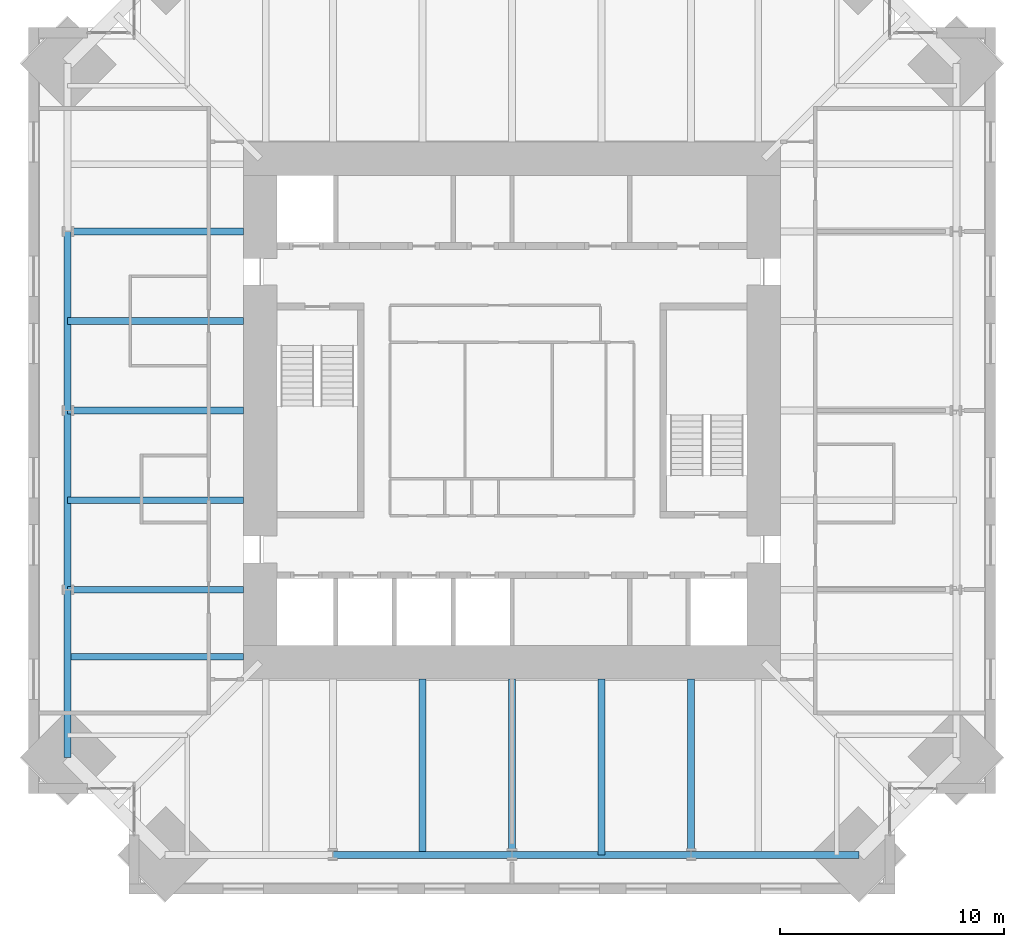
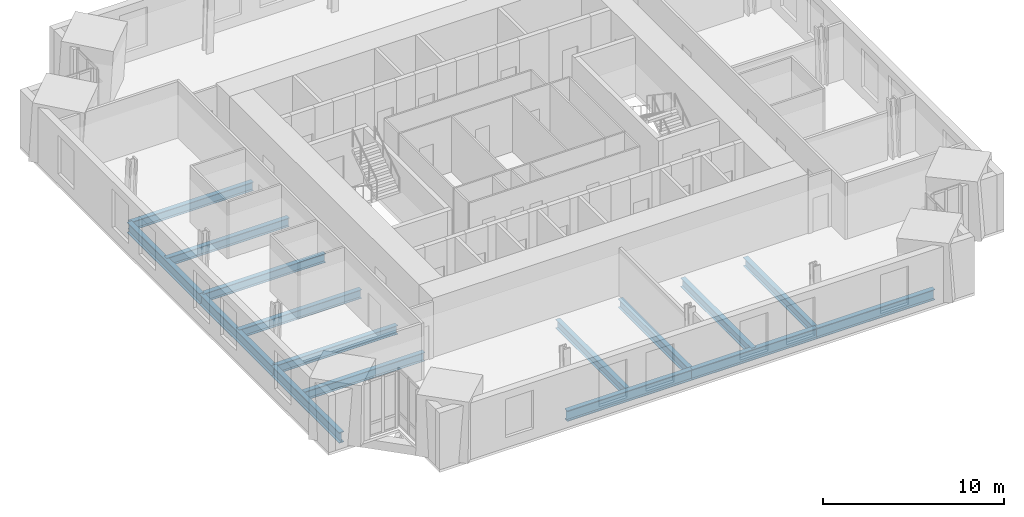
# One storey, part 3 of 16: 16 beams.
"""IFC4 building model written with IfcOpenShell, lengths in metres."""

import ifcopenshell
import ifcopenshell.guid

model = None  # the IFC model being written
_history = None  # IfcOwnerHistory: only IFC2X3 demands one
_inside = {}  # id of a spatial element -> (the spatial element, [elements in it])
_under = {}  # id of a project, library or spatial element -> (it, [spatial elements below it])
_declared = {}  # id of a project -> (the project, [libraries it declares])
_typed = {}  # id of a type object -> (the type object, [elements of that type])
_made_of = {}  # id of a material, layer set ... -> (it, [elements and type objects made of it])


def new_model(schema):
    """Start an empty IFC model of exactly this schema.

    Asked for "IFC4X3", IfcOpenShell would pick the latest addendum, in which some entities
    have other attributes; the version numbers below select the first issue.
    IFC2X3 requires an IfcOwnerHistory on every rooted entity: one is made here for all.
    """
    global model, _history
    if schema == "IFC4X3":
        model = ifcopenshell.file(schema_version=(4, 3, 0, 0))
    else:
        model = ifcopenshell.file(schema=schema)
    _inside.clear()
    _under.clear()
    _declared.clear()
    _typed.clear()
    _made_of.clear()
    _history = None
    if model.schema == "IFC2X3":
        org = make("IfcOrganization", Name="unknown")
        user = make(
            "IfcPersonAndOrganization",
            ThePerson=make("IfcPerson", FamilyName="unknown"),
            TheOrganization=org,
        )
        app = make(
            "IfcApplication",
            ApplicationDeveloper=org,
            Version="unknown",
            ApplicationFullName="unknown",
            ApplicationIdentifier="unknown",
        )
        _history = make(
            "IfcOwnerHistory",
            OwningUser=user,
            OwningApplication=app,
            ChangeAction="ADDED",
            CreationDate=0,
        )
    return model


def make(cls, **values):
    """One entity of the class cls with the attributes given. An attribute that is None is left unset."""
    return model.create_entity(
        cls, **{name: value for name, value in values.items() if value is not None}
    )


def rooted(cls, **values):
    """An entity with a GlobalId (a new one), such as an element, a storey or a relation."""
    return make(cls, GlobalId=ifcopenshell.guid.new(), OwnerHistory=_history, **values)


def si_unit(unit_type, name, prefix=None):
    """IfcSIUnit, for example si_unit("LENGTHUNIT", "METRE", prefix="MILLI")."""
    return make("IfcSIUnit", UnitType=unit_type, Prefix=prefix, Name=name)


def assignment(units):
    """IfcUnitAssignment: the units of a project."""
    return None if units is None else make("IfcUnitAssignment", Units=units)


def point(xyz):
    """IfcCartesianPoint."""
    return None if xyz is None else make("IfcCartesianPoint", Coordinates=xyz)


def direction(xyz):
    """IfcDirection."""
    return None if xyz is None else make("IfcDirection", DirectionRatios=xyz)


def frame(location, z_axis=None, x_axis=None):
    """IfcAxis2Placement3D, a coordinate frame: its origin and axes. An axis left out is left unset."""
    return make(
        "IfcAxis2Placement3D",
        Location=point(location),
        Axis=direction(z_axis),
        RefDirection=direction(x_axis),
    )


def frame_2d(location, x_axis=None):
    """IfcAxis2Placement2D, a coordinate frame in the plane: its origin and x axis."""
    return make(
        "IfcAxis2Placement2D", Location=point(location), RefDirection=direction(x_axis)
    )


def origin():
    """The frame at (0, 0, 0) with its axes left unset."""
    return frame((0.0, 0.0, 0.0))


def origin_2d():
    """The frame at (0, 0) in the plane with its x axis left unset."""
    return frame_2d((0.0, 0.0))


def place(relative_to, where):
    """IfcLocalPlacement: puts the frame where relative to a parent placement (None: the world)."""
    return make(
        "IfcLocalPlacement", PlacementRelTo=relative_to, RelativePlacement=where
    )


def context(
    kind, dimensions, precision=None, world=None, true_north=None, identifier=None
):
    """IfcGeometricRepresentationContext, for example the 3D "Model" context."""
    return make(
        "IfcGeometricRepresentationContext",
        ContextIdentifier=identifier,
        ContextType=kind,
        CoordinateSpaceDimension=dimensions,
        Precision=precision,
        WorldCoordinateSystem=world,
        TrueNorth=true_north,
    )


def subcontext(parent, identifier, kind, view, scale=None):
    """IfcGeometricRepresentationSubContext, for example "Body" below "Model"."""
    return make(
        "IfcGeometricRepresentationSubContext",
        ContextIdentifier=identifier,
        ContextType=kind,
        ParentContext=parent,
        TargetScale=scale,
        TargetView=view,
    )


def project(units=None, contexts=None):
    """IfcProject with its units and contexts."""
    return rooted(
        "IfcProject",
        Name="project",
        RepresentationContexts=contexts,
        UnitsInContext=assignment(units),
    )


def spatial(cls, under=None, at=None, **own):
    """A site, building, storey or space (cls), placed at a placement, below another one or the project."""
    s = rooted(cls, ObjectPlacement=at, **own)
    if under is not None:
        _under.setdefault(under.id(), (under, []))[1].append(s)
    return s


def profile(cls, at=None, kind="AREA", **sizes):
    """A parametric profile (cls). Its sizes go by their IFC names, for example OverallWidth=200.0."""
    return make(cls, ProfileType=kind, Position=at, **sizes)


def i_section(**sizes):
    """IfcIShapeProfileDef."""
    return profile("IfcIShapeProfileDef", **sizes)


def extrude(swept, where, along, depth):
    """IfcExtrudedAreaSolid: the profile swept, set in the frame where, extruded along a direction by depth."""
    return make(
        "IfcExtrudedAreaSolid",
        SweptArea=swept,
        Position=where,
        ExtrudedDirection=direction(along),
        Depth=depth,
    )


def shape(context_of_items, identifier, shape_type, items):
    """IfcShapeRepresentation: the items that make up one representation, for example the "Body"."""
    return make(
        "IfcShapeRepresentation",
        ContextOfItems=context_of_items,
        RepresentationIdentifier=identifier,
        RepresentationType=shape_type,
        Items=items,
    )


def material(Name=None, Category=None):
    """IfcMaterial."""
    return make("IfcMaterial", Name=Name, Category=Category)


def material_profile(
    of_material, cross_section, Name=None, Category=None, Priority=None
):
    """IfcMaterialProfile: a cross section and its material."""
    return make(
        "IfcMaterialProfile",
        Name=Name,
        Material=of_material,
        Profile=cross_section,
        Priority=Priority,
        Category=Category,
    )


def profile_set(profiles, Name=None, composite=None):
    """IfcMaterialProfileSet."""
    return make(
        "IfcMaterialProfileSet",
        Name=Name,
        MaterialProfiles=profiles,
        CompositeProfile=composite,
    )


def made_of(thing, what):
    """Note that an element or type object is made of a material, layer set ...; save() writes the relation."""
    if what is not None:
        _made_of.setdefault(what.id(), (what, []))[1].append(thing)
    return thing


def type_object(cls, material=None, **own):
    """A type object (cls), such as IfcWallType, which elements share."""
    return made_of(rooted(cls, **own), material)


def element(
    cls,
    number,
    at=None,
    inside=None,
    cuts=None,
    type_object=None,
    material=None,
    context=None,
    identifier="Body",
    shape_type=None,
    held_by="IfcProductDefinitionShape",
    body=None,
    shapes=None,
    **own,
):
    """One element of the class cls, such as IfcWall. Its Tag is "e" and its number.

    at: its placement. inside: the storey or other place that contains it. cuts: it is an
    opening in that element (IfcRelVoidsElement). A single representation is given by context,
    identifier, shape_type and body (its items); several are given by shapes. held_by: the class
    of the entity that holds the representations. save() writes the other relations.
    """
    e = rooted(cls, Tag="e%d" % number, ObjectPlacement=at, **own)
    if body is not None:
        shapes = [shape(context, identifier, shape_type, body)]
    if shapes is not None:
        e.Representation = make(held_by, Representations=shapes)
    if inside is not None:
        _inside.setdefault(inside.id(), (inside, []))[1].append(e)
    if cuts is not None:
        rooted(
            "IfcRelVoidsElement", RelatingBuildingElement=cuts, RelatedOpeningElement=e
        )
    if type_object is not None:
        _typed.setdefault(type_object.id(), (type_object, []))[1].append(e)
    return made_of(e, material)


def aggregate(whole, parts):
    """IfcRelAggregates: a whole, such as a stair, and the parts it consists of."""
    return rooted("IfcRelAggregates", RelatingObject=whole, RelatedObjects=parts)


def save(model, path):
    """Write the relations noted so far, then the file.

    IfcRelAggregates (storeys below a building ...), IfcRelContainedInSpatialStructure (elements
    in a storey), IfcRelDefinesByType, IfcRelAssociatesMaterial and IfcRelDeclares: one each for
    every whole, place, type object, material and project.
    """
    for whole, parts in _under.values():
        aggregate(whole, parts)
    for where, things in _inside.values():
        rooted(
            "IfcRelContainedInSpatialStructure",
            RelatedElements=things,
            RelatingStructure=where,
        )
    for kind, things in _typed.values():
        rooted("IfcRelDefinesByType", RelatedObjects=things, RelatingType=kind)
    for what, things in _made_of.values():
        rooted("IfcRelAssociatesMaterial", RelatedObjects=things, RelatingMaterial=what)
    for by, libraries in _declared.values():
        rooted("IfcRelDeclares", RelatingContext=by, RelatedDefinitions=libraries)
    model.write(path)


model = new_model("IFC4")

# Units and contexts
model_context = context("Model", 3, precision=1e-05, world=origin(), true_north=direction((0.0, 1.0)))
body_context = subcontext(model_context, "Body", "Model", "MODEL_VIEW")
ifc_project = project(units=[si_unit("LENGTHUNIT", "METRE"), si_unit("AREAUNIT", "SQUARE_METRE"), si_unit("VOLUMEUNIT", "CUBIC_METRE"), si_unit("PLANEANGLEUNIT", "RADIAN"), si_unit("MASSUNIT", "GRAM", prefix="KILO")], contexts=[model_context])

# Site, building, storey
site_placement = place(None, origin())
site = spatial("IfcSite", under=ifc_project, at=site_placement, CompositionType="ELEMENT")
building_placement = place(site_placement, origin())
building = spatial("IfcBuilding", under=site, at=building_placement, Name="Peilmerk Tower", CompositionType="ELEMENT")
storey_placement = place(building_placement, frame((0.0, 0.0, 273.800048828125)))
storey = spatial("IfcBuildingStorey", under=building, at=storey_placement, Name="L61", CompositionType="ELEMENT", Elevation=273.800048828125)

# Beams
ifc_material = material(Name="Steel S355", Category="steel")
ifc_material_profile_1 = material_profile(ifc_material, i_section(OverallWidth=0.300048828125, OverallDepth=0.590087890625, WebThickness=0.012939453125, FlangeThickness=0.02490234375, at=origin_2d()), Name="HEA 600")
ifc_profile_set_1 = profile_set([ifc_material_profile_1], Name="Steel S355")
beam_type_1 = type_object("IfcBeamType", Name="B27 HEA 600 floor beam", PredefinedType="BEAM", material=ifc_profile_set_1)
for number, where, z_axis, x_axis, name in (
    (1, (-4.0, -12.0, -0.465087890625), (0.0, -1.0, 0.0), (1.0, 0.0, 0.0), "Floor beam L61"),
    (2, (0.0, -12.0, -0.465087890625), (0.0, -1.0, 0.0), (1.0, 0.0, 0.0), "Floor beam L61"),
    (3, (4.0, -12.0, -0.465087890625), (0.0, -1.0, 0.0), (1.0, 0.0, 0.0), "Floor beam L61"),
    (4, (8.0, -12.0, -0.465087890625), (0.0, -1.0, 0.0), (1.0, 0.0, 0.0), "Floor beam L61"),
    (5, (-12.0, 8.0, -0.465087890625), (-1.0, 0.0, 0.0), (0.0, -1.0, 0.0), "Floor beam L61"),
    (6, (-12.0, 4.0, -0.465087890625), (-1.0, 0.0, 0.0), (0.0, -1.0, 0.0), "Floor beam L61"),
    (7, (-12.0, 0.0, -0.465087890625), (-1.0, 0.0, 0.0), (0.0, -1.0, 0.0), "Floor beam L61"),
    (8, (-12.0, -4.0, -0.465087890625), (-1.0, 0.0, 0.0), (0.0, -1.0, 0.0), "Floor beam L61"),
    (9, (-12.0, -8.0, -0.465087890625), (-1.0, 0.0, 0.0), (0.0, -1.0, 0.0), "Floor beam L61"),
    (10, (-12.0, -11.0, -0.465087890625), (-1.0, 0.0, 0.0), (0.0, -1.0, 0.0), "Floor beam L61"),
):
    element("IfcBeam", number, at=place(storey_placement, frame(where, z_axis=z_axis, x_axis=x_axis)), inside=storey, type_object=beam_type_1, Name=name, PredefinedType="BEAM", context=body_context, shape_type="SweptSolid", body=[
        extrude(i_section(OverallWidth=0.300048828125, OverallDepth=0.590087890625, WebThickness=0.012939453125, FlangeThickness=0.02490234375, at=origin_2d()), origin(), (0.0, 0.0, 1.0), 7.8564453125),
    ])
ifc_material_profile_2 = material_profile(ifc_material, i_section(OverallWidth=0.303955078125, OverallDepth=0.716064453125, WebThickness=0.02099609375, FlangeThickness=0.0400390625, at=origin_2d()), Name="HEM 700")
ifc_profile_set_2 = profile_set([ifc_material_profile_2], Name="Steel S355")
beam_type_2 = type_object("IfcBeamType", Name="B30 HEM 700 edge beam", PredefinedType="SPANDREL", material=ifc_profile_set_2)
for number, where, z_axis, x_axis, name in (
    (11, (-8.0, -19.8564453125, -0.528076171875), (1.0, 0.0, 0.0), (0.0, 1.0, 0.0), "Edge beam L61"),
    (12, (0.0, -19.8564453125, -0.528076171875), (1.0, 0.0, 0.0), (0.0, 1.0, 0.0), "Edge beam L61"),
):
    element("IfcBeam", number, at=place(storey_placement, frame(where, z_axis=z_axis, x_axis=x_axis)), inside=storey, type_object=beam_type_2, Name=name, PredefinedType="SPANDREL", context=body_context, shape_type="SweptSolid", body=[
        extrude(i_section(OverallWidth=0.303955078125, OverallDepth=0.716064453125, WebThickness=0.02099609375, FlangeThickness=0.0400390625, at=origin_2d()), origin(), (0.0, 0.0, 1.0), 8.0),
    ])
beam_1_placement = place(storey_placement, frame((8.0, -19.8564453125, -0.528076171875), z_axis=(1.0, 0.0, 0.0), x_axis=(0.0, 1.0, 0.0)))
element("IfcBeam", 13, at=beam_1_placement, inside=storey, type_object=beam_type_2, Name="Edge beam L61", PredefinedType="SPANDREL", context=body_context, shape_type="SweptSolid", body=[
    extrude(i_section(OverallWidth=0.303955078125, OverallDepth=0.716064453125, WebThickness=0.02099609375, FlangeThickness=0.0400390625, at=origin_2d()), origin(), (0.0, 0.0, 1.0), 7.50634765625),
])
for number, where, z_axis, x_axis, name in (
    (14, (-19.8564453125, 8.0, -0.528076171875), (0.0, -1.0, 0.0), (1.0, 0.0, 0.0), "Edge beam L61"),
    (15, (-19.8564453125, 0.0, -0.528076171875), (0.0, -1.0, 0.0), (1.0, 0.0, 0.0), "Edge beam L61"),
):
    element("IfcBeam", number, at=place(storey_placement, frame(where, z_axis=z_axis, x_axis=x_axis)), inside=storey, type_object=beam_type_2, Name=name, PredefinedType="SPANDREL", context=body_context, shape_type="SweptSolid", body=[
        extrude(i_section(OverallWidth=0.303955078125, OverallDepth=0.716064453125, WebThickness=0.02099609375, FlangeThickness=0.0400390625, at=origin_2d()), origin(), (0.0, 0.0, 1.0), 8.0),
    ])
beam_2_placement = place(storey_placement, frame((-19.8564453125, -8.0, -0.528076171875), z_axis=(0.0, -1.0, 0.0), x_axis=(1.0, 0.0, 0.0)))
element("IfcBeam", 16, at=beam_2_placement, inside=storey, type_object=beam_type_2, Name="Edge beam L61", PredefinedType="SPANDREL", context=body_context, shape_type="SweptSolid", body=[
    extrude(i_section(OverallWidth=0.303955078125, OverallDepth=0.716064453125, WebThickness=0.02099609375, FlangeThickness=0.0400390625, at=origin_2d()), origin(), (0.0, 0.0, 1.0), 7.50634765625),
])

save(model, "model.ifc")
